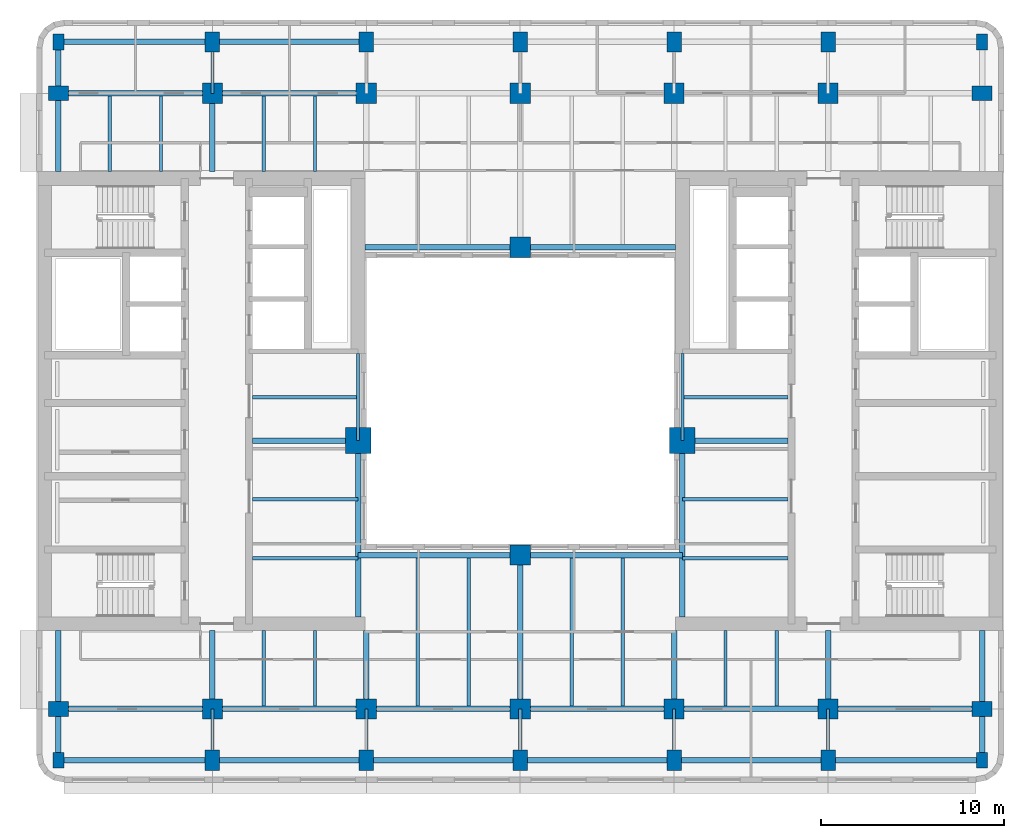
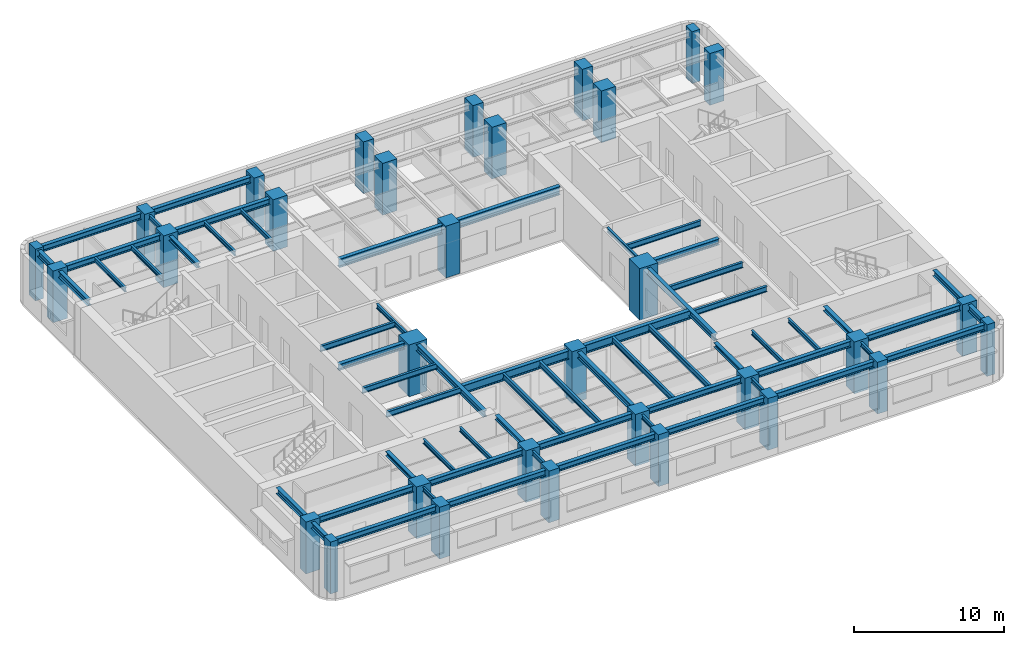
# One storey, part 1 of 12: 62 beams, 32 columns.
"""IFC4 building model written with IfcOpenShell, lengths in metres."""

from ifc_helpers import new_model, si_unit, direction, frame, origin, origin_2d, place, context, subcontext, project, spatial, rectangle, i_section, extrude, material, material_profile, profile_set, type_object, element, save


model = new_model("IFC4")

# Units and contexts
model_context = context("Model", 3, precision=1e-05, world=origin(), true_north=direction((0.0, 1.0)))
body_context = subcontext(model_context, "Body", "Model", "MODEL_VIEW")
ifc_project = project(units=[si_unit("LENGTHUNIT", "METRE"), si_unit("AREAUNIT", "SQUARE_METRE"), si_unit("VOLUMEUNIT", "CUBIC_METRE"), si_unit("PLANEANGLEUNIT", "RADIAN"), si_unit("MASSUNIT", "GRAM", prefix="KILO")], contexts=[model_context])

# Site, building, storey
site_placement = place(None, origin())
site = spatial("IfcSite", under=ifc_project, at=site_placement, CompositionType="ELEMENT")
building_placement = place(site_placement, origin())
building = spatial("IfcBuilding", under=site, at=building_placement, Name="Claustro Exchange Tower", CompositionType="ELEMENT")
storey_placement = place(building_placement, frame((0.0, 0.0, 223.800048828125)))
storey = spatial("IfcBuildingStorey", under=building, at=storey_placement, Name="L51", CompositionType="ELEMENT", Elevation=223.800048828125)

# Columns
ifc_material_1 = material(Name="Concrete HA-70 (C70/85)", Category="concrete")
ifc_material_profile_1 = material_profile(ifc_material_1, rectangle(XDim=1.39990234375, YDim=1.39990234375, at=origin_2d()), Name="RC 1400x1400")
ifc_profile_set_1 = profile_set([ifc_material_profile_1], Name="Concrete HA-70 (C70/85)")
column_type_1 = type_object("IfcColumnType", Name="C0 RC 1400x1400 HA-70 column", PredefinedType="COLUMN", material=ifc_profile_set_1)
for number, where, z_axis, x_axis, name in (
    (1, (16.35009765625, 23.050048828125, 0.0), (0.0, 0.0, 1.0), (1.0, 0.0, 0.0), "Column C0 2+7950/C+6250 L51"),
    (2, (34.050048828125, 23.050048828125, 0.0), (0.0, 0.0, 1.0), (1.0, 0.0, 0.0), "Column C0 5+450/C+6250 L51"),
):
    element("IfcColumn", number, at=place(storey_placement, frame(where, z_axis=z_axis, x_axis=x_axis)), inside=storey, type_object=column_type_1, Name=name, PredefinedType="COLUMN", context=body_context, shape_type="SweptSolid", body=[
        extrude(rectangle(XDim=1.39990234375, YDim=1.39990234375, at=origin_2d()), origin(), (0.0, 0.0, 1.0), 4.199951171875),
    ])
ifc_material_2 = material(Name="Concrete HA-70 (C70/85)", Category="concrete")
ifc_material_profile_2 = material_profile(ifc_material_2, rectangle(XDim=1.10009765625, YDim=1.10009765625, at=origin_2d()), Name="RC 1100x1100")
ifc_profile_set_2 = profile_set([ifc_material_profile_2], Name="Concrete HA-70 (C70/85)")
column_type_2 = type_object("IfcColumnType", Name="C17 RC 1100x1100 HA-70 column", PredefinedType="COLUMN", material=ifc_profile_set_2)
for number, where, z_axis, x_axis, name in (
    (3, (8.39990234375, 8.39990234375, 0.0), (0.0, 0.0, 1.0), (1.0, 0.0, 0.0), "Column C17 2/B L51"),
    (4, (8.39990234375, 42.0, 0.0), (0.0, 0.0, 1.0), (1.0, 0.0, 0.0), "Column C17 2/F L51"),
    (5, (16.800048828125, 8.39990234375, 0.0), (0.0, 0.0, 1.0), (1.0, 0.0, 0.0), "Column C17 3/B L51"),
    (6, (16.800048828125, 42.0, 0.0), (0.0, 0.0, 1.0), (1.0, 0.0, 0.0), "Column C17 3/F L51"),
    (7, (25.199951171875, 8.39990234375, 0.0), (0.0, 0.0, 1.0), (1.0, 0.0, 0.0), "Column C17 4/B L51"),
    (8, (25.199951171875, 42.0, 0.0), (0.0, 0.0, 1.0), (1.0, 0.0, 0.0), "Column C17 4/F L51"),
    (9, (25.199951171875, 16.800048828125, 0.0), (0.0, 0.0, 1.0), (1.0, 0.0, 0.0), "Column C17 4/C L51"),
    (10, (25.199951171875, 33.60009765625, 0.0), (0.0, 0.0, 1.0), (1.0, 0.0, 0.0), "Column C17 4/E L51"),
    (11, (33.60009765625, 8.39990234375, 0.0), (0.0, 0.0, 1.0), (1.0, 0.0, 0.0), "Column C17 5/B L51"),
    (12, (33.60009765625, 42.0, 0.0), (0.0, 0.0, 1.0), (1.0, 0.0, 0.0), "Column C17 5/F L51"),
    (13, (42.0, 8.39990234375, 0.0), (0.0, 0.0, 1.0), (1.0, 0.0, 0.0), "Column C17 6/B L51"),
    (14, (42.0, 42.0, 0.0), (0.0, 0.0, 1.0), (1.0, 0.0, 0.0), "Column C17 6/F L51"),
):
    element("IfcColumn", number, at=place(storey_placement, frame(where, z_axis=z_axis, x_axis=x_axis)), inside=storey, type_object=column_type_2, Name=name, PredefinedType="COLUMN", context=body_context, shape_type="SweptSolid", body=[
        extrude(rectangle(XDim=1.10009765625, YDim=1.10009765625, at=origin_2d()), origin(), (0.0, 0.0, 1.0), 4.199951171875),
    ])
ifc_material_3 = material(Name="Concrete HA-50 (C50/60)", Category="concrete")
ifc_material_profile_3 = material_profile(ifc_material_3, rectangle(XDim=0.800048828125, YDim=1.10009765625, at=origin_2d()), Name="RC 800x1100")
ifc_profile_set_3 = profile_set([ifc_material_profile_3], Name="Concrete HA-50 (C50/60)")
column_type_3 = type_object("IfcColumnType", Name="C23 RC 800x1100 HA-50 perimeter column", PredefinedType="COLUMN", material=ifc_profile_set_3)
for number, where, z_axis, x_axis, name in (
    (15, (0.0, 8.39990234375, 0.0), (0.0, 0.0, 1.0), (0.0, 1.0, 0.0), "Column C23 1/B L51"),
    (16, (0.0, 42.0, 0.0), (0.0, 0.0, 1.0), (0.0, 1.0, 0.0), "Column C23 1/F L51"),
    (17, (8.39990234375, 5.60009765625, 0.0), (0.0, 0.0, 1.0), (1.0, 0.0, 0.0), "Column C23 2/A+5600 L51"),
    (18, (8.39990234375, 44.800048828125, 0.0), (0.0, 0.0, 1.0), (1.0, 0.0, 0.0), "Column C23 2/F+2800 L51"),
    (19, (16.800048828125, 5.60009765625, 0.0), (0.0, 0.0, 1.0), (1.0, 0.0, 0.0), "Column C23 3/A+5600 L51"),
    (20, (16.800048828125, 44.800048828125, 0.0), (0.0, 0.0, 1.0), (1.0, 0.0, 0.0), "Column C23 3/F+2800 L51"),
    (21, (25.199951171875, 5.60009765625, 0.0), (0.0, 0.0, 1.0), (1.0, 0.0, 0.0), "Column C23 4/A+5600 L51"),
    (22, (25.199951171875, 44.800048828125, 0.0), (0.0, 0.0, 1.0), (1.0, 0.0, 0.0), "Column C23 4/F+2800 L51"),
    (23, (33.60009765625, 5.60009765625, 0.0), (0.0, 0.0, 1.0), (1.0, 0.0, 0.0), "Column C23 5/A+5600 L51"),
    (24, (33.60009765625, 44.800048828125, 0.0), (0.0, 0.0, 1.0), (1.0, 0.0, 0.0), "Column C23 5/F+2800 L51"),
    (25, (42.0, 5.60009765625, 0.0), (0.0, 0.0, 1.0), (1.0, 0.0, 0.0), "Column C23 6/A+5600 L51"),
    (26, (42.0, 44.800048828125, 0.0), (0.0, 0.0, 1.0), (1.0, 0.0, 0.0), "Column C23 6/F+2800 L51"),
    (27, (50.39990234375, 8.39990234375, 0.0), (0.0, 0.0, 1.0), (0.0, 1.0, 0.0), "Column C23 7/B L51"),
    (28, (50.39990234375, 42.0, 0.0), (0.0, 0.0, 1.0), (0.0, 1.0, 0.0), "Column C23 7/F L51"),
):
    element("IfcColumn", number, at=place(storey_placement, frame(where, z_axis=z_axis, x_axis=x_axis)), inside=storey, type_object=column_type_3, Name=name, PredefinedType="COLUMN", context=body_context, shape_type="SweptSolid", body=[
        extrude(rectangle(XDim=0.800048828125, YDim=1.10009765625, at=origin_2d()), origin(), (0.0, 0.0, 1.0), 4.199951171875),
    ])
ifc_material_4 = material(Name="Concrete HA-50 (C50/60)", Category="concrete")
ifc_material_profile_4 = material_profile(ifc_material_4, rectangle(XDim=0.60009765625, YDim=0.85009765625, at=origin_2d()), Name="RC 600x850")
ifc_profile_set_4 = profile_set([ifc_material_profile_4], Name="Concrete HA-50 (C50/60)")
column_type_4 = type_object("IfcColumnType", Name="C25 RC 600x850 HA-50 corner column", PredefinedType="COLUMN", material=ifc_profile_set_4)
for number, where, z_axis, x_axis, name in (
    (29, (0.0, 5.60009765625, 0.0), (0.0, 0.0, 1.0), (1.0, 0.0, 0.0), "Column C25 1/A+5600 L51"),
    (30, (0.0, 44.800048828125, 0.0), (0.0, 0.0, 1.0), (1.0, 0.0, 0.0), "Column C25 1/F+2800 L51"),
    (31, (50.39990234375, 5.60009765625, 0.0), (0.0, 0.0, 1.0), (1.0, 0.0, 0.0), "Column C25 7/A+5600 L51"),
    (32, (50.39990234375, 44.800048828125, 0.0), (0.0, 0.0, 1.0), (1.0, 0.0, 0.0), "Column C25 7/F+2800 L51"),
):
    element("IfcColumn", number, at=place(storey_placement, frame(where, z_axis=z_axis, x_axis=x_axis)), inside=storey, type_object=column_type_4, Name=name, PredefinedType="COLUMN", context=body_context, shape_type="SweptSolid", body=[
        extrude(rectangle(XDim=0.60009765625, YDim=0.85009765625, at=origin_2d()), origin(), (0.0, 0.0, 1.0), 4.199951171875),
    ])

# Beams
ifc_material_5 = material(Name="Steel S355", Category="steel")
ifc_material_profile_5 = material_profile(ifc_material_5, i_section(OverallWidth=0.300048828125, OverallDepth=0.68994140625, WebThickness=0.014404296875, FlangeThickness=0.027099609375, FilletRadius=0.027099609375, at=origin_2d()), Name="HE 700 A")
ifc_profile_set_5 = profile_set([ifc_material_profile_5], Name="Steel S355")
beam_type_1 = type_object("IfcBeamType", Name="B13 HE 700 A light well edge girder", PredefinedType="BEAM", material=ifc_profile_set_5)
beam_1_placement = place(storey_placement, frame((16.35009765625, 16.800048828125, 3.704833984375), z_axis=(1.0, 0.0, 0.0), x_axis=(0.0, 1.0, 0.0)))
element("IfcBeam", 33, at=beam_1_placement, inside=storey, type_object=beam_type_1, Name="Beam B13 L52", PredefinedType="BEAM", context=body_context, shape_type="SweptSolid", body=[
    extrude(i_section(OverallWidth=0.300048828125, OverallDepth=0.68994140625, WebThickness=0.014404296875, FlangeThickness=0.027099609375, FilletRadius=0.027099609375, at=origin_2d()), origin(), (0.0, 0.0, 1.0), 8.849853515625),
])
beam_2_placement = place(storey_placement, frame((25.199951171875, 16.800048828125, 3.704833984375), z_axis=(1.0, 0.0, 0.0), x_axis=(0.0, 1.0, 0.0)))
element("IfcBeam", 34, at=beam_2_placement, inside=storey, type_object=beam_type_1, Name="Beam B13 L52", PredefinedType="BEAM", context=body_context, shape_type="SweptSolid", body=[
    extrude(i_section(OverallWidth=0.300048828125, OverallDepth=0.68994140625, WebThickness=0.014404296875, FlangeThickness=0.027099609375, FilletRadius=0.027099609375, at=origin_2d()), origin(), (0.0, 0.0, 1.0), 8.85009765625),
])
beam_3_placement = place(storey_placement, frame((16.72509765625, 33.60009765625, 3.704833984375), z_axis=(1.0, 0.0, 0.0), x_axis=(0.0, 1.0, 0.0)))
element("IfcBeam", 35, at=beam_3_placement, inside=storey, type_object=beam_type_1, Name="Beam B13 L52", PredefinedType="BEAM", context=body_context, shape_type="SweptSolid", body=[
    extrude(i_section(OverallWidth=0.300048828125, OverallDepth=0.68994140625, WebThickness=0.014404296875, FlangeThickness=0.027099609375, FilletRadius=0.027099609375, at=origin_2d()), origin(), (0.0, 0.0, 1.0), 8.474853515625),
])
beam_4_placement = place(storey_placement, frame((25.199951171875, 33.60009765625, 3.704833984375), z_axis=(1.0, 0.0, 0.0), x_axis=(0.0, 1.0, 0.0)))
element("IfcBeam", 36, at=beam_4_placement, inside=storey, type_object=beam_type_1, Name="Beam B13 L52", PredefinedType="BEAM", context=body_context, shape_type="SweptSolid", body=[
    extrude(i_section(OverallWidth=0.300048828125, OverallDepth=0.68994140625, WebThickness=0.014404296875, FlangeThickness=0.027099609375, FilletRadius=0.027099609375, at=origin_2d()), origin(), (0.0, 0.0, 1.0), 8.47509765625),
])
ifc_material_6 = material(Name="Steel S355", Category="steel")
ifc_material_profile_6 = material_profile(ifc_material_6, i_section(OverallWidth=0.169921875, OverallDepth=0.360107421875, WebThickness=0.008056640625, FlangeThickness=0.0126953125, FilletRadius=0.01806640625, at=origin_2d()), Name="IPE 360")
ifc_profile_set_6 = profile_set([ifc_material_profile_6], Name="Steel S355")
beam_type_2 = type_object("IfcBeamType", Name="B16 IPE 360 short-span beam", PredefinedType="BEAM", material=ifc_profile_set_6)
beam_5_placement = place(storey_placement, frame((8.39990234375, 5.60009765625, 3.869873046875), z_axis=(0.0, 1.0, 0.0), x_axis=(-1.0, 0.0, 0.0)))
element("IfcBeam", 37, at=beam_5_placement, inside=storey, type_object=beam_type_2, Name="Beam B16 L52", PredefinedType="BEAM", context=body_context, shape_type="SweptSolid", body=[
    extrude(i_section(OverallWidth=0.169921875, OverallDepth=0.360107421875, WebThickness=0.008056640625, FlangeThickness=0.0126953125, FilletRadius=0.01806640625, at=origin_2d()), origin(), (0.0, 0.0, 1.0), 2.7998046875),
])
beam_6_placement = place(storey_placement, frame((8.39990234375, 42.0, 3.869873046875), z_axis=(0.0, 1.0, 0.0), x_axis=(-1.0, 0.0, 0.0)))
element("IfcBeam", 38, at=beam_6_placement, inside=storey, type_object=beam_type_2, Name="Beam B16 L52", PredefinedType="BEAM", context=body_context, shape_type="SweptSolid", body=[
    extrude(i_section(OverallWidth=0.169921875, OverallDepth=0.360107421875, WebThickness=0.008056640625, FlangeThickness=0.0126953125, FilletRadius=0.01806640625, at=origin_2d()), origin(), (0.0, 0.0, 1.0), 2.800048828125),
])
for number, where, z_axis, x_axis, name in (
    (39, (16.800048828125, 5.60009765625, 3.869873046875), (0.0, 1.0, 0.0), (-1.0, 0.0, 0.0), "Beam B16 L52"),
    (40, (25.199951171875, 5.60009765625, 3.869873046875), (0.0, 1.0, 0.0), (-1.0, 0.0, 0.0), "Beam B16 L52"),
    (41, (33.60009765625, 5.60009765625, 3.869873046875), (0.0, 1.0, 0.0), (-1.0, 0.0, 0.0), "Beam B16 L52"),
    (42, (42.0, 5.60009765625, 3.869873046875), (0.0, 1.0, 0.0), (-1.0, 0.0, 0.0), "Beam B16 L52"),
):
    element("IfcBeam", number, at=place(storey_placement, frame(where, z_axis=z_axis, x_axis=x_axis)), inside=storey, type_object=beam_type_2, Name=name, PredefinedType="BEAM", context=body_context, shape_type="SweptSolid", body=[
        extrude(i_section(OverallWidth=0.169921875, OverallDepth=0.360107421875, WebThickness=0.008056640625, FlangeThickness=0.0126953125, FilletRadius=0.01806640625, at=origin_2d()), origin(), (0.0, 0.0, 1.0), 2.7998046875),
    ])
for number, where, z_axis, x_axis, name in (
    (43, (2.800048828125, 37.72509765625, 3.869873046875), (0.0, 1.0, 0.0), (-1.0, 0.0, 0.0), "Beam B16 L52"),
    (44, (5.60009765625, 37.72509765625, 3.869873046875), (0.0, 1.0, 0.0), (-1.0, 0.0, 0.0), "Beam B16 L52"),
    (45, (11.199951171875, 8.550048828125, 3.869873046875), (0.0, 1.0, 0.0), (-1.0, 0.0, 0.0), "Beam B16 L52"),
    (46, (14.0, 8.550048828125, 3.869873046875), (0.0, 1.0, 0.0), (-1.0, 0.0, 0.0), "Beam B16 L52"),
    (47, (11.199951171875, 37.72509765625, 3.869873046875), (0.0, 1.0, 0.0), (-1.0, 0.0, 0.0), "Beam B16 L52"),
    (48, (14.0, 37.72509765625, 3.869873046875), (0.0, 1.0, 0.0), (-1.0, 0.0, 0.0), "Beam B16 L52"),
    (49, (36.39990234375, 8.550048828125, 3.869873046875), (0.0, 1.0, 0.0), (-1.0, 0.0, 0.0), "Beam B16 L52"),
    (50, (39.199951171875, 8.550048828125, 3.869873046875), (0.0, 1.0, 0.0), (-1.0, 0.0, 0.0), "Beam B16 L52"),
):
    element("IfcBeam", number, at=place(storey_placement, frame(where, z_axis=z_axis, x_axis=x_axis)), inside=storey, type_object=beam_type_2, Name=name, PredefinedType="BEAM", context=body_context, shape_type="SweptSolid", body=[
        extrude(i_section(OverallWidth=0.169921875, OverallDepth=0.360107421875, WebThickness=0.008056640625, FlangeThickness=0.0126953125, FilletRadius=0.01806640625, at=origin_2d()), origin(), (0.0, 0.0, 1.0), 4.125),
    ])
for number, where, z_axis, x_axis, name in (
    (51, (16.35009765625, 23.050048828125, 3.869873046875), (0.0, 1.0, 0.0), (-1.0, 0.0, 0.0), "Beam B16 core step framing L52"),
    (52, (34.050048828125, 23.050048828125, 3.869873046875), (0.0, 1.0, 0.0), (-1.0, 0.0, 0.0), "Beam B16 core step framing L52"),
):
    element("IfcBeam", number, at=place(storey_placement, frame(where, z_axis=z_axis, x_axis=x_axis)), inside=storey, type_object=beam_type_2, Name=name, PredefinedType="BEAM", context=body_context, shape_type="SweptSolid", body=[
        extrude(i_section(OverallWidth=0.169921875, OverallDepth=0.360107421875, WebThickness=0.008056640625, FlangeThickness=0.0126953125, FilletRadius=0.01806640625, at=origin_2d()), origin(), (0.0, 0.0, 1.0), 4.75),
    ])
ifc_material_7 = material(Name="Steel S355", Category="steel")
ifc_material_profile_7 = material_profile(ifc_material_7, i_section(OverallWidth=0.300048828125, OverallDepth=0.360107421875, WebThickness=0.012451171875, FlangeThickness=0.0224609375, FilletRadius=0.027099609375, at=origin_2d()), Name="HE 360 B")
ifc_profile_set_7 = profile_set([ifc_material_profile_7], Name="Steel S355")
beam_type_3 = type_object("IfcBeamType", Name="B29 HE 360 B column to core link beam", PredefinedType="BEAM", material=ifc_profile_set_7)
beam_7_placement = place(storey_placement, frame((8.39990234375, 8.39990234375, 3.869873046875), z_axis=(0.0, 1.0, 0.0), x_axis=(-1.0, 0.0, 0.0)))
element("IfcBeam", 53, at=beam_7_placement, inside=storey, type_object=beam_type_3, Name="Beam B29 L52", PredefinedType="BEAM", context=body_context, shape_type="SweptSolid", body=[
    extrude(i_section(OverallWidth=0.300048828125, OverallDepth=0.360107421875, WebThickness=0.012451171875, FlangeThickness=0.0224609375, FilletRadius=0.027099609375, at=origin_2d()), origin(), (0.0, 0.0, 1.0), 4.275146484375),
])
beam_8_placement = place(storey_placement, frame((8.39990234375, 37.72509765625, 3.869873046875), z_axis=(0.0, 1.0, 0.0), x_axis=(-1.0, 0.0, 0.0)))
element("IfcBeam", 54, at=beam_8_placement, inside=storey, type_object=beam_type_3, Name="Beam B29 L52", PredefinedType="BEAM", context=body_context, shape_type="SweptSolid", body=[
    extrude(i_section(OverallWidth=0.300048828125, OverallDepth=0.360107421875, WebThickness=0.012451171875, FlangeThickness=0.0224609375, FilletRadius=0.027099609375, at=origin_2d()), origin(), (0.0, 0.0, 1.0), 4.27490234375),
])
for number, where, z_axis, x_axis, name in (
    (55, (16.800048828125, 8.39990234375, 3.869873046875), (0.0, 1.0, 0.0), (-1.0, 0.0, 0.0), "Beam B29 L52"),
    (56, (33.60009765625, 8.39990234375, 3.869873046875), (0.0, 1.0, 0.0), (-1.0, 0.0, 0.0), "Beam B29 L52"),
    (57, (42.0, 8.39990234375, 3.869873046875), (0.0, 1.0, 0.0), (-1.0, 0.0, 0.0), "Beam B29 L52"),
):
    element("IfcBeam", number, at=place(storey_placement, frame(where, z_axis=z_axis, x_axis=x_axis)), inside=storey, type_object=beam_type_3, Name=name, PredefinedType="BEAM", context=body_context, shape_type="SweptSolid", body=[
        extrude(i_section(OverallWidth=0.300048828125, OverallDepth=0.360107421875, WebThickness=0.012451171875, FlangeThickness=0.0224609375, FilletRadius=0.027099609375, at=origin_2d()), origin(), (0.0, 0.0, 1.0), 4.275146484375),
    ])
ifc_material_8 = material(Name="Steel S355", Category="steel")
ifc_material_profile_8 = material_profile(ifc_material_8, i_section(OverallWidth=0.300048828125, OverallDepth=0.5, WebThickness=0.014404296875, FlangeThickness=0.028076171875, FilletRadius=0.027099609375, at=origin_2d()), Name="HE 500 B")
ifc_profile_set_8 = profile_set([ifc_material_profile_8], Name="Steel S355")
beam_type_4 = type_object("IfcBeamType", Name="B7 HE 500 B floor girder", PredefinedType="BEAM", material=ifc_profile_set_8)
beam_9_placement = place(storey_placement, frame((25.199951171875, 8.39990234375, 3.800048828125), z_axis=(0.0, 1.0, 0.0), x_axis=(-1.0, 0.0, 0.0)))
element("IfcBeam", 58, at=beam_9_placement, inside=storey, type_object=beam_type_4, Name="Beam B7 L52", PredefinedType="BEAM", context=body_context, shape_type="SweptSolid", body=[
    extrude(i_section(OverallWidth=0.300048828125, OverallDepth=0.5, WebThickness=0.014404296875, FlangeThickness=0.028076171875, FilletRadius=0.027099609375, at=origin_2d()), origin(), (0.0, 0.0, 1.0), 8.400146484375),
])
beam_10_placement = place(storey_placement, frame((0.0, 8.39990234375, 3.800048828125), z_axis=(1.0, 0.0, 0.0), x_axis=(0.0, 1.0, 0.0)))
element("IfcBeam", 59, at=beam_10_placement, inside=storey, type_object=beam_type_4, Name="Beam B7 L52", PredefinedType="BEAM", context=body_context, shape_type="SweptSolid", body=[
    extrude(i_section(OverallWidth=0.300048828125, OverallDepth=0.5, WebThickness=0.014404296875, FlangeThickness=0.028076171875, FilletRadius=0.027099609375, at=origin_2d()), origin(), (0.0, 0.0, 1.0), 8.39990234375),
])
beam_11_placement = place(storey_placement, frame((8.39990234375, 8.39990234375, 3.800048828125), z_axis=(1.0, 0.0, 0.0), x_axis=(0.0, 1.0, 0.0)))
element("IfcBeam", 60, at=beam_11_placement, inside=storey, type_object=beam_type_4, Name="Beam B7 L52", PredefinedType="BEAM", context=body_context, shape_type="SweptSolid", body=[
    extrude(i_section(OverallWidth=0.300048828125, OverallDepth=0.5, WebThickness=0.014404296875, FlangeThickness=0.028076171875, FilletRadius=0.027099609375, at=origin_2d()), origin(), (0.0, 0.0, 1.0), 8.400146484375),
])
beam_12_placement = place(storey_placement, frame((16.800048828125, 8.39990234375, 3.800048828125), z_axis=(1.0, 0.0, 0.0), x_axis=(0.0, 1.0, 0.0)))
element("IfcBeam", 61, at=beam_12_placement, inside=storey, type_object=beam_type_4, Name="Beam B7 L52", PredefinedType="BEAM", context=body_context, shape_type="SweptSolid", body=[
    extrude(i_section(OverallWidth=0.300048828125, OverallDepth=0.5, WebThickness=0.014404296875, FlangeThickness=0.028076171875, FilletRadius=0.027099609375, at=origin_2d()), origin(), (0.0, 0.0, 1.0), 8.39990234375),
])
beam_13_placement = place(storey_placement, frame((25.199951171875, 8.39990234375, 3.800048828125), z_axis=(1.0, 0.0, 0.0), x_axis=(0.0, 1.0, 0.0)))
element("IfcBeam", 62, at=beam_13_placement, inside=storey, type_object=beam_type_4, Name="Beam B7 L52", PredefinedType="BEAM", context=body_context, shape_type="SweptSolid", body=[
    extrude(i_section(OverallWidth=0.300048828125, OverallDepth=0.5, WebThickness=0.014404296875, FlangeThickness=0.028076171875, FilletRadius=0.027099609375, at=origin_2d()), origin(), (0.0, 0.0, 1.0), 8.400146484375),
])
for number, where, z_axis, x_axis, name in (
    (63, (33.60009765625, 8.39990234375, 3.800048828125), (1.0, 0.0, 0.0), (0.0, 1.0, 0.0), "Beam B7 L52"),
    (64, (42.0, 8.39990234375, 3.800048828125), (1.0, 0.0, 0.0), (0.0, 1.0, 0.0), "Beam B7 L52"),
    (65, (0.0, 42.0, 3.800048828125), (1.0, 0.0, 0.0), (0.0, 1.0, 0.0), "Beam B7 L52"),
):
    element("IfcBeam", number, at=place(storey_placement, frame(where, z_axis=z_axis, x_axis=x_axis)), inside=storey, type_object=beam_type_4, Name=name, PredefinedType="BEAM", context=body_context, shape_type="SweptSolid", body=[
        extrude(i_section(OverallWidth=0.300048828125, OverallDepth=0.5, WebThickness=0.014404296875, FlangeThickness=0.028076171875, FilletRadius=0.027099609375, at=origin_2d()), origin(), (0.0, 0.0, 1.0), 8.39990234375),
    ])
beam_14_placement = place(storey_placement, frame((8.39990234375, 42.0, 3.800048828125), z_axis=(1.0, 0.0, 0.0), x_axis=(0.0, 1.0, 0.0)))
element("IfcBeam", 66, at=beam_14_placement, inside=storey, type_object=beam_type_4, Name="Beam B7 L52", PredefinedType="BEAM", context=body_context, shape_type="SweptSolid", body=[
    extrude(i_section(OverallWidth=0.300048828125, OverallDepth=0.5, WebThickness=0.014404296875, FlangeThickness=0.028076171875, FilletRadius=0.027099609375, at=origin_2d()), origin(), (0.0, 0.0, 1.0), 8.400146484375),
])
beam_15_placement = place(storey_placement, frame((10.60009765625, 23.050048828125, 3.800048828125), z_axis=(1.0, 0.0, 0.0), x_axis=(0.0, 1.0, 0.0)))
element("IfcBeam", 67, at=beam_15_placement, inside=storey, type_object=beam_type_4, Name="Beam B7 core step framing L52", PredefinedType="BEAM", context=body_context, shape_type="SweptSolid", body=[
    extrude(i_section(OverallWidth=0.300048828125, OverallDepth=0.5, WebThickness=0.014404296875, FlangeThickness=0.028076171875, FilletRadius=0.027099609375, at=origin_2d()), origin(), (0.0, 0.0, 1.0), 5.75),
])
beam_16_placement = place(storey_placement, frame((16.35009765625, 13.425048828125, 3.800048828125), z_axis=(0.0, 1.0, 0.0), x_axis=(-1.0, 0.0, 0.0)))
element("IfcBeam", 68, at=beam_16_placement, inside=storey, type_object=beam_type_4, Name="Beam B7 core step framing L52", PredefinedType="BEAM", context=body_context, shape_type="SweptSolid", body=[
    extrude(i_section(OverallWidth=0.300048828125, OverallDepth=0.5, WebThickness=0.014404296875, FlangeThickness=0.028076171875, FilletRadius=0.027099609375, at=origin_2d()), origin(), (0.0, 0.0, 1.0), 9.625),
])
beam_17_placement = place(storey_placement, frame((34.050048828125, 23.050048828125, 3.800048828125), z_axis=(1.0, 0.0, 0.0), x_axis=(0.0, 1.0, 0.0)))
element("IfcBeam", 69, at=beam_17_placement, inside=storey, type_object=beam_type_4, Name="Beam B7 core step framing L52", PredefinedType="BEAM", context=body_context, shape_type="SweptSolid", body=[
    extrude(i_section(OverallWidth=0.300048828125, OverallDepth=0.5, WebThickness=0.014404296875, FlangeThickness=0.028076171875, FilletRadius=0.027099609375, at=origin_2d()), origin(), (0.0, 0.0, 1.0), 5.75),
])
beam_18_placement = place(storey_placement, frame((34.050048828125, 13.425048828125, 3.800048828125), z_axis=(0.0, 1.0, 0.0), x_axis=(-1.0, 0.0, 0.0)))
element("IfcBeam", 70, at=beam_18_placement, inside=storey, type_object=beam_type_4, Name="Beam B7 core step framing L52", PredefinedType="BEAM", context=body_context, shape_type="SweptSolid", body=[
    extrude(i_section(OverallWidth=0.300048828125, OverallDepth=0.5, WebThickness=0.014404296875, FlangeThickness=0.028076171875, FilletRadius=0.027099609375, at=origin_2d()), origin(), (0.0, 0.0, 1.0), 9.625),
])
ifc_material_9 = material(Name="Steel S355", Category="steel")
ifc_material_profile_9 = material_profile(ifc_material_9, i_section(OverallWidth=0.18994140625, OverallDepth=0.449951171875, WebThickness=0.009521484375, FlangeThickness=0.0146484375, FilletRadius=0.02099609375, at=origin_2d()), Name="IPE 450")
ifc_profile_set_9 = profile_set([ifc_material_profile_9], Name="Steel S355")
beam_type_5 = type_object("IfcBeamType", Name="B8 IPE 450 secondary beam", PredefinedType="BEAM", material=ifc_profile_set_9)
for number, where, z_axis, x_axis, name in (
    (71, (19.60009765625, 8.550048828125, 3.824951171875), (0.0, 1.0, 0.0), (-1.0, 0.0, 0.0), "Beam B8 L52"),
    (72, (22.39990234375, 8.550048828125, 3.824951171875), (0.0, 1.0, 0.0), (-1.0, 0.0, 0.0), "Beam B8 L52"),
    (73, (28.0, 8.550048828125, 3.824951171875), (0.0, 1.0, 0.0), (-1.0, 0.0, 0.0), "Beam B8 L52"),
    (74, (30.800048828125, 8.550048828125, 3.824951171875), (0.0, 1.0, 0.0), (-1.0, 0.0, 0.0), "Beam B8 L52"),
):
    element("IfcBeam", number, at=place(storey_placement, frame(where, z_axis=z_axis, x_axis=x_axis)), inside=storey, type_object=beam_type_5, Name=name, PredefinedType="BEAM", context=body_context, shape_type="SweptSolid", body=[
        extrude(i_section(OverallWidth=0.18994140625, OverallDepth=0.449951171875, WebThickness=0.009521484375, FlangeThickness=0.0146484375, FilletRadius=0.02099609375, at=origin_2d()), origin(), (0.0, 0.0, 1.0), 8.099853515625),
    ])
for number, where, z_axis, x_axis, name in (
    (75, (10.60009765625, 16.63330078125, 3.824951171875), (1.0, 0.0, 0.0), (0.0, 1.0, 0.0), "Beam B8 core step framing L52"),
    (76, (10.60009765625, 19.841796875, 3.824951171875), (1.0, 0.0, 0.0), (0.0, 1.0, 0.0), "Beam B8 core step framing L52"),
    (77, (10.60009765625, 25.425048828125, 3.824951171875), (1.0, 0.0, 0.0), (0.0, 1.0, 0.0), "Beam B8 core step framing L52"),
    (78, (34.050048828125, 16.63330078125, 3.824951171875), (1.0, 0.0, 0.0), (0.0, 1.0, 0.0), "Beam B8 core step framing L52"),
    (79, (34.050048828125, 19.841796875, 3.824951171875), (1.0, 0.0, 0.0), (0.0, 1.0, 0.0), "Beam B8 core step framing L52"),
    (80, (34.050048828125, 25.425048828125, 3.824951171875), (1.0, 0.0, 0.0), (0.0, 1.0, 0.0), "Beam B8 core step framing L52"),
):
    element("IfcBeam", number, at=place(storey_placement, frame(where, z_axis=z_axis, x_axis=x_axis)), inside=storey, type_object=beam_type_5, Name=name, PredefinedType="BEAM", context=body_context, shape_type="SweptSolid", body=[
        extrude(i_section(OverallWidth=0.18994140625, OverallDepth=0.449951171875, WebThickness=0.009521484375, FlangeThickness=0.0146484375, FilletRadius=0.02099609375, at=origin_2d()), origin(), (0.0, 0.0, 1.0), 5.75),
    ])
ifc_material_10 = material(Name="Steel S355", Category="steel")
ifc_material_profile_10 = material_profile(ifc_material_10, i_section(OverallWidth=0.300048828125, OverallDepth=0.489990234375, WebThickness=0.011962890625, FlangeThickness=0.02294921875, FilletRadius=0.027099609375, at=origin_2d()), Name="HE 500 A")
ifc_profile_set_10 = profile_set([ifc_material_profile_10], Name="Steel S355")
beam_type_6 = type_object("IfcBeamType", Name="B9 HE 500 A spandrel edge girder", PredefinedType="SPANDREL", material=ifc_profile_set_10)
beam_19_placement = place(storey_placement, frame((0.0, 5.60009765625, 3.804931640625), z_axis=(0.0, 1.0, 0.0), x_axis=(-1.0, 0.0, 0.0)))
element("IfcBeam", 81, at=beam_19_placement, inside=storey, type_object=beam_type_6, Name="Beam B9 L52", PredefinedType="SPANDREL", context=body_context, shape_type="SweptSolid", body=[
    extrude(i_section(OverallWidth=0.300048828125, OverallDepth=0.489990234375, WebThickness=0.011962890625, FlangeThickness=0.02294921875, FilletRadius=0.027099609375, at=origin_2d()), origin(), (0.0, 0.0, 1.0), 2.7998046875),
])
beam_20_placement = place(storey_placement, frame((0.0, 8.39990234375, 3.804931640625), z_axis=(0.0, 1.0, 0.0), x_axis=(-1.0, 0.0, 0.0)))
element("IfcBeam", 82, at=beam_20_placement, inside=storey, type_object=beam_type_6, Name="Beam B9 L52", PredefinedType="SPANDREL", context=body_context, shape_type="SweptSolid", body=[
    extrude(i_section(OverallWidth=0.300048828125, OverallDepth=0.489990234375, WebThickness=0.011962890625, FlangeThickness=0.02294921875, FilletRadius=0.027099609375, at=origin_2d()), origin(), (0.0, 0.0, 1.0), 4.275146484375),
])
beam_21_placement = place(storey_placement, frame((0.0, 37.72509765625, 3.804931640625), z_axis=(0.0, 1.0, 0.0), x_axis=(-1.0, 0.0, 0.0)))
element("IfcBeam", 83, at=beam_21_placement, inside=storey, type_object=beam_type_6, Name="Beam B9 L52", PredefinedType="SPANDREL", context=body_context, shape_type="SweptSolid", body=[
    extrude(i_section(OverallWidth=0.300048828125, OverallDepth=0.489990234375, WebThickness=0.011962890625, FlangeThickness=0.02294921875, FilletRadius=0.027099609375, at=origin_2d()), origin(), (0.0, 0.0, 1.0), 4.27490234375),
])
beam_22_placement = place(storey_placement, frame((0.0, 42.0, 3.804931640625), z_axis=(0.0, 1.0, 0.0), x_axis=(-1.0, 0.0, 0.0)))
element("IfcBeam", 84, at=beam_22_placement, inside=storey, type_object=beam_type_6, Name="Beam B9 L52", PredefinedType="SPANDREL", context=body_context, shape_type="SweptSolid", body=[
    extrude(i_section(OverallWidth=0.300048828125, OverallDepth=0.489990234375, WebThickness=0.011962890625, FlangeThickness=0.02294921875, FilletRadius=0.027099609375, at=origin_2d()), origin(), (0.0, 0.0, 1.0), 2.800048828125),
])
beam_23_placement = place(storey_placement, frame((50.39990234375, 5.60009765625, 3.804931640625), z_axis=(0.0, 1.0, 0.0), x_axis=(-1.0, 0.0, 0.0)))
element("IfcBeam", 85, at=beam_23_placement, inside=storey, type_object=beam_type_6, Name="Beam B9 L52", PredefinedType="SPANDREL", context=body_context, shape_type="SweptSolid", body=[
    extrude(i_section(OverallWidth=0.300048828125, OverallDepth=0.489990234375, WebThickness=0.011962890625, FlangeThickness=0.02294921875, FilletRadius=0.027099609375, at=origin_2d()), origin(), (0.0, 0.0, 1.0), 2.7998046875),
])
beam_24_placement = place(storey_placement, frame((50.39990234375, 8.39990234375, 3.804931640625), z_axis=(0.0, 1.0, 0.0), x_axis=(-1.0, 0.0, 0.0)))
element("IfcBeam", 86, at=beam_24_placement, inside=storey, type_object=beam_type_6, Name="Beam B9 L52", PredefinedType="SPANDREL", context=body_context, shape_type="SweptSolid", body=[
    extrude(i_section(OverallWidth=0.300048828125, OverallDepth=0.489990234375, WebThickness=0.011962890625, FlangeThickness=0.02294921875, FilletRadius=0.027099609375, at=origin_2d()), origin(), (0.0, 0.0, 1.0), 4.275146484375),
])
beam_25_placement = place(storey_placement, frame((0.0, 5.60009765625, 3.804931640625), z_axis=(1.0, 0.0, 0.0), x_axis=(0.0, 1.0, 0.0)))
element("IfcBeam", 87, at=beam_25_placement, inside=storey, type_object=beam_type_6, Name="Beam B9 L52", PredefinedType="SPANDREL", context=body_context, shape_type="SweptSolid", body=[
    extrude(i_section(OverallWidth=0.300048828125, OverallDepth=0.489990234375, WebThickness=0.011962890625, FlangeThickness=0.02294921875, FilletRadius=0.027099609375, at=origin_2d()), origin(), (0.0, 0.0, 1.0), 8.39990234375),
])
beam_26_placement = place(storey_placement, frame((8.39990234375, 5.60009765625, 3.804931640625), z_axis=(1.0, 0.0, 0.0), x_axis=(0.0, 1.0, 0.0)))
element("IfcBeam", 88, at=beam_26_placement, inside=storey, type_object=beam_type_6, Name="Beam B9 L52", PredefinedType="SPANDREL", context=body_context, shape_type="SweptSolid", body=[
    extrude(i_section(OverallWidth=0.300048828125, OverallDepth=0.489990234375, WebThickness=0.011962890625, FlangeThickness=0.02294921875, FilletRadius=0.027099609375, at=origin_2d()), origin(), (0.0, 0.0, 1.0), 8.400146484375),
])
beam_27_placement = place(storey_placement, frame((16.800048828125, 5.60009765625, 3.804931640625), z_axis=(1.0, 0.0, 0.0), x_axis=(0.0, 1.0, 0.0)))
element("IfcBeam", 89, at=beam_27_placement, inside=storey, type_object=beam_type_6, Name="Beam B9 L52", PredefinedType="SPANDREL", context=body_context, shape_type="SweptSolid", body=[
    extrude(i_section(OverallWidth=0.300048828125, OverallDepth=0.489990234375, WebThickness=0.011962890625, FlangeThickness=0.02294921875, FilletRadius=0.027099609375, at=origin_2d()), origin(), (0.0, 0.0, 1.0), 8.39990234375),
])
beam_28_placement = place(storey_placement, frame((25.199951171875, 5.60009765625, 3.804931640625), z_axis=(1.0, 0.0, 0.0), x_axis=(0.0, 1.0, 0.0)))
element("IfcBeam", 90, at=beam_28_placement, inside=storey, type_object=beam_type_6, Name="Beam B9 L52", PredefinedType="SPANDREL", context=body_context, shape_type="SweptSolid", body=[
    extrude(i_section(OverallWidth=0.300048828125, OverallDepth=0.489990234375, WebThickness=0.011962890625, FlangeThickness=0.02294921875, FilletRadius=0.027099609375, at=origin_2d()), origin(), (0.0, 0.0, 1.0), 8.400146484375),
])
for number, where, z_axis, x_axis, name in (
    (91, (33.60009765625, 5.60009765625, 3.804931640625), (1.0, 0.0, 0.0), (0.0, 1.0, 0.0), "Beam B9 L52"),
    (92, (42.0, 5.60009765625, 3.804931640625), (1.0, 0.0, 0.0), (0.0, 1.0, 0.0), "Beam B9 L52"),
    (93, (0.0, 44.800048828125, 3.804931640625), (1.0, 0.0, 0.0), (0.0, 1.0, 0.0), "Beam B9 L52"),
):
    element("IfcBeam", number, at=place(storey_placement, frame(where, z_axis=z_axis, x_axis=x_axis)), inside=storey, type_object=beam_type_6, Name=name, PredefinedType="SPANDREL", context=body_context, shape_type="SweptSolid", body=[
        extrude(i_section(OverallWidth=0.300048828125, OverallDepth=0.489990234375, WebThickness=0.011962890625, FlangeThickness=0.02294921875, FilletRadius=0.027099609375, at=origin_2d()), origin(), (0.0, 0.0, 1.0), 8.39990234375),
    ])
beam_29_placement = place(storey_placement, frame((8.39990234375, 44.800048828125, 3.804931640625), z_axis=(1.0, 0.0, 0.0), x_axis=(0.0, 1.0, 0.0)))
element("IfcBeam", 94, at=beam_29_placement, inside=storey, type_object=beam_type_6, Name="Beam B9 L52", PredefinedType="SPANDREL", context=body_context, shape_type="SweptSolid", body=[
    extrude(i_section(OverallWidth=0.300048828125, OverallDepth=0.489990234375, WebThickness=0.011962890625, FlangeThickness=0.02294921875, FilletRadius=0.027099609375, at=origin_2d()), origin(), (0.0, 0.0, 1.0), 8.400146484375),
])

save(model, "model.ifc")
